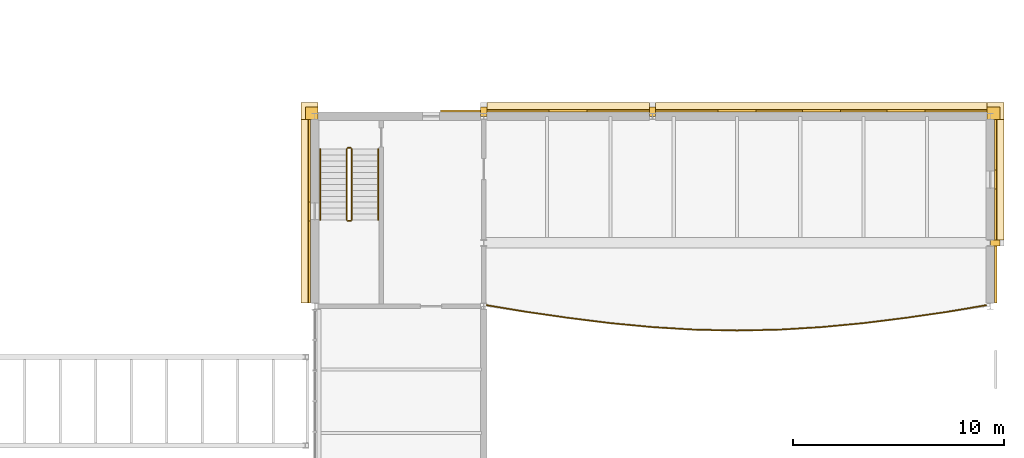
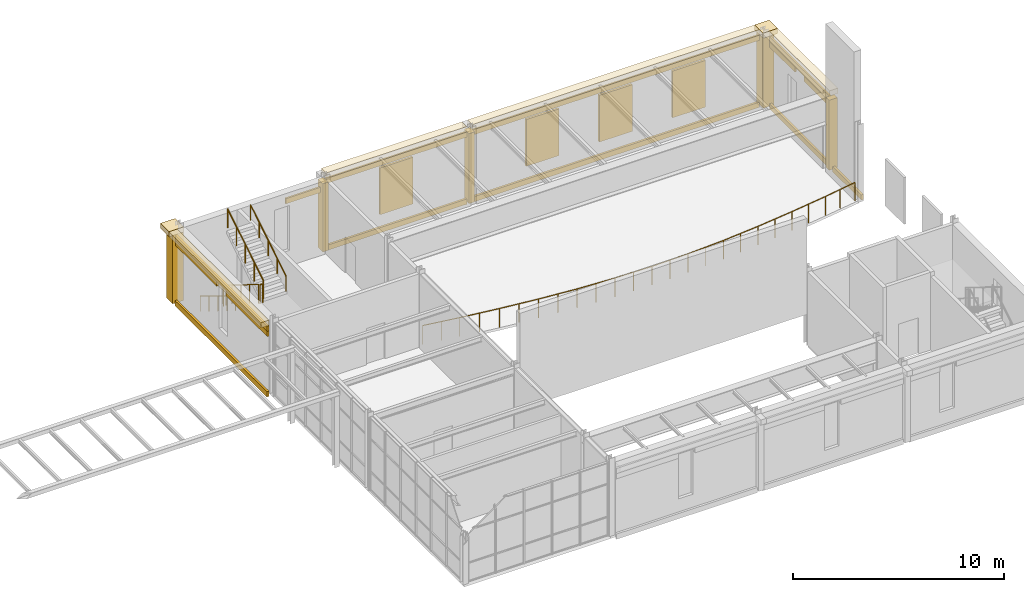
# One storey, part 150 of 153: 29 coverings, 7 railings.
"""IFC4 building model written with IfcOpenShell, lengths in metres."""

from ifc_helpers import new_model, si_unit, direction, frame, origin, origin_2d, place, context, subcontext, project, spatial, rectangle, circle, extrude, material, layer, layer_set, type_object, element, save


model = new_model("IFC4")

# Units and contexts
model_context = context("Model", 3, precision=1e-05, world=origin(), true_north=direction((0.0, 1.0)))
body_context = subcontext(model_context, "Body", "Model", "MODEL_VIEW")
ifc_project = project(units=[si_unit("LENGTHUNIT", "METRE"), si_unit("AREAUNIT", "SQUARE_METRE"), si_unit("VOLUMEUNIT", "CUBIC_METRE"), si_unit("PLANEANGLEUNIT", "RADIAN"), si_unit("MASSUNIT", "GRAM", prefix="KILO")], contexts=[model_context])

# Site, building, storey
site_placement = place(None, origin())
site = spatial("IfcSite", under=ifc_project, at=site_placement, CompositionType="ELEMENT")
building_placement = place(site_placement, origin())
building = spatial("IfcBuilding", under=site, at=building_placement, Name="Kallimachos Central Library", CompositionType="ELEMENT")
storey_placement = place(building_placement, frame((0.0, 0.0, 5.39990234375)))
storey = spatial("IfcBuildingStorey", under=building, at=storey_placement, Name="L01", CompositionType="ELEMENT", Elevation=5.39990234375)

# Railing
ifc_material_1 = material(Name="Wrought iron")
railing_type_1 = type_object("IfcRailingType", Name="Balcony guard 1100", PredefinedType="GUARDRAIL", material=ifc_material_1)
railing_1_placement = place(storey_placement, frame((146.14990234375, 105.050048828125, 0.0)))
element("IfcRailing", 1, at=railing_1_placement, inside=storey, type_object=railing_type_1, Name="Balcony front guard", PredefinedType="GUARDRAIL", context=body_context, shape_type="SweptSolid", body=[
    extrude(circle(Radius=0.02392578125, at=origin_2d()), frame((0.0, 0.0, 1.076171875), z_axis=(0.986203331004, -0.165538484697, 0.0), x_axis=(0.165538484697, 0.986203331004, 0.0)), (0.0, 0.0, 1.0), 1.8759765625),
    extrude(circle(Radius=0.02392578125, at=origin_2d()), frame((1.85009765625, -0.310546875, 1.076171875), z_axis=(0.989681961654, -0.143281592593, 0.0), x_axis=(0.143281592593, 0.989681961654, 0.0)), (0.0, 0.0, 1.0), 2.020751953125),
    extrude(circle(Radius=0.02392578125, at=origin_2d()), frame((3.85009765625, -0.60009765625, 1.076171875), z_axis=(0.99236707481, -0.123319052998, 0.0), x_axis=(0.123319052998, 0.99236707481, 0.0)), (0.0, 0.0, 1.0), 2.015380859375),
    extrude(circle(Radius=0.02392578125, at=origin_2d()), frame((5.85009765625, -0.8486328125, 1.076171875), z_axis=(0.995486183199, -0.094906580698, 0.0), x_axis=(0.094906580698, 0.995486183199, 0.0)), (0.0, 0.0, 1.0), 2.009033203125),
    extrude(circle(Radius=0.02392578125, at=origin_2d()), frame((7.85009765625, -1.039306640625, 1.076171875), z_axis=(0.998208631603, -0.059829155044, 0.0), x_axis=(0.059829155044, 0.998208631603, 0.0)), (0.0, 0.0, 1.0), 2.003662109375),
    extrude(circle(Radius=0.02392578125, at=origin_2d()), frame((9.85009765625, -1.1591796875, 1.076171875), z_axis=(0.9997922755, -0.020381507569, 0.0), x_axis=(0.020381507569, 0.9997922755, 0.0)), (0.0, 0.0, 1.0), 2.00048828125),
    extrude(circle(Radius=0.02392578125, at=origin_2d()), frame((11.85009765625, -1.199951171875, 1.076171875), z_axis=(0.9997922755, 0.020381507569, 0.0), x_axis=(-0.020381507569, 0.9997922755, 0.0)), (0.0, 0.0, 1.0), 2.00048828125),
    extrude(circle(Radius=0.02392578125, at=origin_2d()), frame((13.85009765625, -1.1591796875, 1.076171875), z_axis=(0.998208631603, 0.059829155044, 0.0), x_axis=(-0.059829155044, 0.998208631603, 0.0)), (0.0, 0.0, 1.0), 2.003662109375),
    extrude(circle(Radius=0.02392578125, at=origin_2d()), frame((15.85009765625, -1.039306640625, 1.076171875), z_axis=(0.995486183199, 0.094906580698, 0.0), x_axis=(-0.094906580698, 0.995486183199, 0.0)), (0.0, 0.0, 1.0), 2.009033203125),
    extrude(circle(Radius=0.02392578125, at=origin_2d()), frame((17.85009765625, -0.8486328125, 1.076171875), z_axis=(0.99236707481, 0.123319052998, 0.0), x_axis=(-0.123319052998, 0.99236707481, 0.0)), (0.0, 0.0, 1.0), 2.015380859375),
    extrude(circle(Radius=0.02392578125, at=origin_2d()), frame((19.85009765625, -0.60009765625, 1.076171875), z_axis=(0.989681961654, 0.143281592593, 0.0), x_axis=(-0.143281592593, 0.989681961654, 0.0)), (0.0, 0.0, 1.0), 2.020751953125),
    extrude(circle(Radius=0.02392578125, at=origin_2d()), frame((21.85009765625, -0.310546875, 1.076171875), z_axis=(0.985442361652, 0.170009858134, 0.0), x_axis=(-0.170009858134, 0.985442361652, 0.0)), (0.0, 0.0, 1.0), 1.82666015625),
    extrude(circle(Radius=0.02099609375, at=origin_2d()), origin(), (0.0, 0.0, 1.0), 1.052001953125),
    extrude(circle(Radius=0.02099609375, at=origin_2d()), frame((0.925048828125, -0.1552734375, 0.0)), (0.0, 0.0, 1.0), 1.052001953125),
    extrude(circle(Radius=0.02099609375, at=origin_2d()), frame((1.85009765625, -0.310546875, 0.0)), (0.0, 0.0, 1.0), 1.052001953125),
    extrude(circle(Radius=0.02099609375, at=origin_2d()), frame((2.85009765625, -0.455322265625, 0.0)), (0.0, 0.0, 1.0), 1.052001953125),
    extrude(circle(Radius=0.02099609375, at=origin_2d()), frame((3.85009765625, -0.60009765625, 0.0)), (0.0, 0.0, 1.0), 1.052001953125),
    extrude(circle(Radius=0.02099609375, at=origin_2d()), frame((4.85009765625, -0.724365234375, 0.0)), (0.0, 0.0, 1.0), 1.052001953125),
    extrude(circle(Radius=0.02099609375, at=origin_2d()), frame((5.85009765625, -0.8486328125, 0.0)), (0.0, 0.0, 1.0), 1.052001953125),
    extrude(circle(Radius=0.02099609375, at=origin_2d()), frame((6.85009765625, -0.94384765625, 0.0)), (0.0, 0.0, 1.0), 1.052001953125),
    extrude(circle(Radius=0.02099609375, at=origin_2d()), frame((7.85009765625, -1.039306640625, 0.0)), (0.0, 0.0, 1.0), 1.052001953125),
    extrude(circle(Radius=0.02099609375, at=origin_2d()), frame((8.85009765625, -1.09912109375, 0.0)), (0.0, 0.0, 1.0), 1.052001953125),
    extrude(circle(Radius=0.02099609375, at=origin_2d()), frame((9.85009765625, -1.1591796875, 0.0)), (0.0, 0.0, 1.0), 1.052001953125),
    extrude(circle(Radius=0.02099609375, at=origin_2d()), frame((10.85009765625, -1.1796875, 0.0)), (0.0, 0.0, 1.0), 1.052001953125),
    extrude(circle(Radius=0.02099609375, at=origin_2d()), frame((11.85009765625, -1.199951171875, 0.0)), (0.0, 0.0, 1.0), 1.052001953125),
    extrude(circle(Radius=0.02099609375, at=origin_2d()), frame((12.85009765625, -1.1796875, 0.0)), (0.0, 0.0, 1.0), 1.052001953125),
    extrude(circle(Radius=0.02099609375, at=origin_2d()), frame((13.85009765625, -1.1591796875, 0.0)), (0.0, 0.0, 1.0), 1.052001953125),
    extrude(circle(Radius=0.02099609375, at=origin_2d()), frame((14.85009765625, -1.09912109375, 0.0)), (0.0, 0.0, 1.0), 1.052001953125),
    extrude(circle(Radius=0.02099609375, at=origin_2d()), frame((15.85009765625, -1.039306640625, 0.0)), (0.0, 0.0, 1.0), 1.052001953125),
    extrude(circle(Radius=0.02099609375, at=origin_2d()), frame((16.85009765625, -0.94384765625, 0.0)), (0.0, 0.0, 1.0), 1.052001953125),
    extrude(circle(Radius=0.02099609375, at=origin_2d()), frame((17.85009765625, -0.8486328125, 0.0)), (0.0, 0.0, 1.0), 1.052001953125),
    extrude(circle(Radius=0.02099609375, at=origin_2d()), frame((18.85009765625, -0.724365234375, 0.0)), (0.0, 0.0, 1.0), 1.052001953125),
    extrude(circle(Radius=0.02099609375, at=origin_2d()), frame((19.85009765625, -0.60009765625, 0.0)), (0.0, 0.0, 1.0), 1.052001953125),
    extrude(circle(Radius=0.02099609375, at=origin_2d()), frame((20.85009765625, -0.455322265625, 0.0)), (0.0, 0.0, 1.0), 1.052001953125),
    extrude(circle(Radius=0.02099609375, at=origin_2d()), frame((21.85009765625, -0.310546875, 0.0)), (0.0, 0.0, 1.0), 1.052001953125),
    extrude(circle(Radius=0.02099609375, at=origin_2d()), frame((22.75, -0.1552734375, 0.0)), (0.0, 0.0, 1.0), 1.052001953125),
    extrude(circle(Radius=0.02099609375, at=origin_2d()), frame((23.650146484375, 0.0, 0.0)), (0.0, 0.0, 1.0), 1.052001953125),
])

# Coverings
ifc_material_2 = material(Name="Pentelic marble cladding", Category="masonry")
ifc_layer_1 = layer(ifc_material_2, 0.1201171875)
ifc_layer_set_1 = layer_set([ifc_layer_1], Name="Blind arcade relief panel")
covering_type_1 = type_object("IfcCoveringType", Name="Blind arcade relief panel", PredefinedType="CLADDING", material=ifc_layer_set_1)
for number, where, z_axis, x_axis, name in (
    (2, (150.0, 114.260009765625, 0.89990234375), (0.0, 0.0, 1.0), (1.0, 0.0, 0.0), "Blind arcade relief panel"),
    (3, (158.0, 114.260009765625, 0.89990234375), (0.0, 0.0, 1.0), (1.0, 0.0, 0.0), "Blind arcade relief panel"),
    (4, (162.0, 114.260009765625, 0.89990234375), (0.0, 0.0, 1.0), (1.0, 0.0, 0.0), "Blind arcade relief panel"),
    (5, (166.0, 114.260009765625, 0.89990234375), (0.0, 0.0, 1.0), (1.0, 0.0, 0.0), "Blind arcade relief panel"),
):
    element("IfcCovering", number, at=place(storey_placement, frame(where, z_axis=z_axis, x_axis=x_axis)), inside=storey, type_object=covering_type_1, Name=name, PredefinedType="CLADDING", context=body_context, shape_type="SweptSolid", body=[
        extrude(rectangle(XDim=1.800048828125, YDim=0.1201171875, at=origin_2d()), origin(), (0.0, 0.0, 1.0), 2.699951171875),
    ])
ifc_material_3 = material(Name="Glazed ceramic frieze, green")
ifc_layer_2 = layer(ifc_material_3, 0.10009765625)
ifc_layer_set_2 = layer_set([ifc_layer_2], Name="Glazed ceramic frieze, green")
covering_type_2 = type_object("IfcCoveringType", Name="Glazed ceramic frieze, green", PredefinedType="CLADDING", material=ifc_layer_set_2)
covering_1_placement = place(storey_placement, frame((137.75, 109.5, 3.6298828125), z_axis=(0.0, 0.0, 1.0), x_axis=(1.0, 0.0, 0.0)))
element("IfcCovering", 6, at=covering_1_placement, inside=storey, type_object=covering_type_2, Name="Glazed ceramic frieze, green -L01-001", PredefinedType="CLADDING", context=body_context, shape_type="SweptSolid", body=[
    extrude(rectangle(XDim=0.10009765625, YDim=8.699951171875, at=origin_2d()), origin(), (0.0, 0.0, 1.0), 0.300048828125),
])
covering_2_placement = place(storey_placement, frame((170.25, 111.0, 3.72998046875), z_axis=(0.0, 0.0, 1.0), x_axis=(1.0, 0.0, 0.0)))
element("IfcCovering", 7, at=covering_2_placement, inside=storey, type_object=covering_type_2, Name="Glazed ceramic frieze, green -L01-004", PredefinedType="CLADDING", context=body_context, shape_type="SweptSolid", body=[
    extrude(rectangle(XDim=0.10009765625, YDim=5.699951171875, at=origin_2d()), origin(), (0.0, 0.0, 1.0), 0.300048828125),
])
covering_3_placement = place(storey_placement, frame((150.0, 114.25, 3.72998046875), z_axis=(0.0, 0.0, 1.0), x_axis=(1.0, 0.0, 0.0)))
element("IfcCovering", 8, at=covering_3_placement, inside=storey, type_object=covering_type_2, Name="Glazed ceramic frieze, green -L01-009", PredefinedType="CLADDING", context=body_context, shape_type="SweptSolid", body=[
    extrude(rectangle(XDim=7.699951171875, YDim=0.10009765625, at=origin_2d()), origin(), (0.0, 0.0, 1.0), 0.300048828125),
])
covering_4_placement = place(storey_placement, frame((162.0, 114.25, 3.72998046875), z_axis=(0.0, 0.0, 1.0), x_axis=(1.0, 0.0, 0.0)))
element("IfcCovering", 9, at=covering_4_placement, inside=storey, type_object=covering_type_2, Name="Glazed ceramic frieze, green -L01-010", PredefinedType="CLADDING", context=body_context, shape_type="SweptSolid", body=[
    extrude(rectangle(XDim=15.699951171875, YDim=0.10009765625, at=origin_2d()), origin(), (0.0, 0.0, 1.0), 0.300048828125),
])
ifc_material_4 = material(Name="Glazed ceramic frieze, ochre")
ifc_layer_3 = layer(ifc_material_4, 0.10009765625)
ifc_layer_set_3 = layer_set([ifc_layer_3], Name="Glazed ceramic frieze, ochre")
covering_type_3 = type_object("IfcCoveringType", Name="Glazed ceramic frieze, ochre", PredefinedType="CLADDING", material=ifc_layer_set_3)
for number, where, z_axis, x_axis, name in (
    (10, (137.75, 107.10009765625, 3.330078125), (0.0, 0.0, 1.0), (1.0, 0.0, 0.0), "Glazed ceramic frieze, ochre -L01-001"),
    (11, (137.75, 111.89990234375, 3.330078125), (0.0, 0.0, 1.0), (1.0, 0.0, 0.0), "Glazed ceramic frieze, ochre -L01-001"),
):
    element("IfcCovering", number, at=place(storey_placement, frame(where, z_axis=z_axis, x_axis=x_axis)), inside=storey, type_object=covering_type_3, Name=name, PredefinedType="CLADDING", context=body_context, shape_type="SweptSolid", body=[
        extrude(rectangle(XDim=0.10009765625, YDim=3.89990234375, at=origin_2d()), origin(), (0.0, 0.0, 1.0), 0.300048828125),
    ])
for number, where, z_axis, x_axis, name in (
    (12, (170.25, 109.35009765625, 3.43017578125), (0.0, 0.0, 1.0), (1.0, 0.0, 0.0), "Glazed ceramic frieze, ochre -L01-004"),
    (13, (170.25, 112.64990234375, 3.43017578125), (0.0, 0.0, 1.0), (1.0, 0.0, 0.0), "Glazed ceramic frieze, ochre -L01-004"),
):
    element("IfcCovering", number, at=place(storey_placement, frame(where, z_axis=z_axis, x_axis=x_axis)), inside=storey, type_object=covering_type_3, Name=name, PredefinedType="CLADDING", context=body_context, shape_type="SweptSolid", body=[
        extrude(rectangle(XDim=0.10009765625, YDim=2.39990234375, at=origin_2d()), origin(), (0.0, 0.0, 1.0), 0.300048828125),
    ])
covering_5_placement = place(storey_placement, frame((144.89990234375, 114.25, 3.330078125), z_axis=(0.0, 0.0, 1.0), x_axis=(1.0, 0.0, 0.0)))
element("IfcCovering", 14, at=covering_5_placement, inside=storey, type_object=covering_type_3, Name="Glazed ceramic frieze, ochre -L01-008", PredefinedType="CLADDING", context=body_context, shape_type="SweptSolid", body=[
    extrude(rectangle(XDim=1.89990234375, YDim=0.10009765625, at=origin_2d()), origin(), (0.0, 0.0, 1.0), 0.300048828125),
])

# Railings
ifc_material_5 = material(Name="Steel S355J2", Category="steel")
railing_type_2 = type_object("IfcRailingType", Name="Stair guard 1100", PredefinedType="GUARDRAIL", material=ifc_material_5)
railing_2_placement = place(storey_placement, frame((139.5, 112.449951171875, 0.173095703125)))
element("IfcRailing", 15, at=railing_2_placement, inside=storey, type_object=railing_type_2, Name="L01 ST8 stair guard 1", PredefinedType="GUARDRAIL", context=body_context, shape_type="SweptSolid", body=[
    extrude(circle(Radius=0.02392578125, at=origin_2d()), frame((0.0, 0.0, 1.076171875), z_axis=(0.0, -0.850606129759, 0.525803396734), x_axis=(1.0, 0.0, 0.0)), (0.0, 0.0, 1.0), 3.949951171875),
    extrude(circle(Radius=0.02099609375, at=origin_2d()), origin(), (0.0, 0.0, 1.0), 1.052001953125),
    extrude(circle(Radius=0.02099609375, at=origin_2d()), frame((0.0, -0.83984375, 0.519287109375)), (0.0, 0.0, 1.0), 1.052001953125),
    extrude(circle(Radius=0.02099609375, at=origin_2d()), frame((0.0, -1.679931640625, 1.03857421875)), (0.0, 0.0, 1.0), 1.052001953125),
    extrude(circle(Radius=0.02099609375, at=origin_2d()), frame((0.0, -2.52001953125, 1.5576171875)), (0.0, 0.0, 1.0), 1.052001953125),
    extrude(circle(Radius=0.02099609375, at=origin_2d()), frame((0.0, -3.35986328125, 2.076904296875)), (0.0, 0.0, 1.0), 1.052001953125),
])
railing_3_placement = place(storey_placement, frame((139.550048828125, 109.0400390625, 2.25)))
element("IfcRailing", 16, at=railing_3_placement, inside=storey, type_object=railing_type_2, Name="L01 ST8 stair guard 2", PredefinedType="GUARDRAIL", context=body_context, shape_type="SweptSolid", body=[
    extrude(circle(Radius=0.02392578125, at=origin_2d()), frame((0.0, 0.0, 1.076171875), z_axis=(1.0, 0.0, 0.0), x_axis=(0.0, 1.0, 0.0)), (0.0, 0.0, 1.0), 0.14990234375),
    extrude(circle(Radius=0.02099609375, at=origin_2d()), origin(), (0.0, 0.0, 1.0), 1.052001953125),
    extrude(circle(Radius=0.02099609375, at=origin_2d()), frame((0.14990234375, 0.0, 0.0)), (0.0, 0.0, 1.0), 1.052001953125),
])
railing_4_placement = place(storey_placement, frame((139.75, 109.090087890625, 2.423095703125)))
element("IfcRailing", 17, at=railing_4_placement, inside=storey, type_object=railing_type_2, Name="L01 ST8 stair guard 3", PredefinedType="GUARDRAIL", context=body_context, shape_type="SweptSolid", body=[
    extrude(circle(Radius=0.02392578125, at=origin_2d()), frame((0.0, 0.0, 1.076171875), z_axis=(0.0, 0.850606129759, 0.525803396734), x_axis=(-1.0, 0.0, 0.0)), (0.0, 0.0, 1.0), 3.949951171875),
    extrude(circle(Radius=0.02099609375, at=origin_2d()), origin(), (0.0, 0.0, 1.0), 1.052001953125),
    extrude(circle(Radius=0.02099609375, at=origin_2d()), frame((0.0, 0.83984375, 0.519287109375)), (0.0, 0.0, 1.0), 1.052001953125),
    extrude(circle(Radius=0.02099609375, at=origin_2d()), frame((0.0, 1.679931640625, 1.03857421875)), (0.0, 0.0, 1.0), 1.052001953125),
    extrude(circle(Radius=0.02099609375, at=origin_2d()), frame((0.0, 2.52001953125, 1.5576171875)), (0.0, 0.0, 1.0), 1.052001953125),
    extrude(circle(Radius=0.02099609375, at=origin_2d()), frame((0.0, 3.35986328125, 2.076904296875)), (0.0, 0.0, 1.0), 1.052001953125),
])
railing_5_placement = place(storey_placement, frame((139.550048828125, 112.5, 0.0)))
element("IfcRailing", 18, at=railing_5_placement, inside=storey, type_object=railing_type_2, Name="L01 ST8 stair guard 4", PredefinedType="GUARDRAIL", context=body_context, shape_type="SweptSolid", body=[
    extrude(circle(Radius=0.02392578125, at=origin_2d()), frame((0.0, 0.0, 1.076171875), z_axis=(1.0, 0.0, 0.0), x_axis=(0.0, 1.0, 0.0)), (0.0, 0.0, 1.0), 0.14990234375),
    extrude(circle(Radius=0.02099609375, at=origin_2d()), origin(), (0.0, 0.0, 1.0), 1.052001953125),
    extrude(circle(Radius=0.02099609375, at=origin_2d()), frame((0.14990234375, 0.0, 0.0)), (0.0, 0.0, 1.0), 1.052001953125),
])
ifc_material_6 = material(Name="Steel S355J2", Category="steel")
railing_type_3 = type_object("IfcRailingType", Name="Stair handrail 900", PredefinedType="HANDRAIL", material=ifc_material_6)
railing_6_placement = place(storey_placement, frame((138.25, 112.449951171875, 0.173095703125)))
element("IfcRailing", 19, at=railing_6_placement, inside=storey, type_object=railing_type_3, Name="L01 ST8 stair handrail 1", PredefinedType="HANDRAIL", context=body_context, shape_type="SweptSolid", body=[
    extrude(circle(Radius=0.02392578125, at=origin_2d()), frame((0.0, 0.0, 0.8759765625), z_axis=(0.0, -0.850606129759, 0.525803396734), x_axis=(1.0, 0.0, 0.0)), (0.0, 0.0, 1.0), 3.949951171875),
    extrude(circle(Radius=0.02099609375, at=origin_2d()), origin(), (0.0, 0.0, 1.0), 0.851806640625),
    extrude(circle(Radius=0.02099609375, at=origin_2d()), frame((0.0, -0.83984375, 0.519287109375)), (0.0, 0.0, 1.0), 0.851806640625),
    extrude(circle(Radius=0.02099609375, at=origin_2d()), frame((0.0, -1.679931640625, 1.03857421875)), (0.0, 0.0, 1.0), 0.851806640625),
    extrude(circle(Radius=0.02099609375, at=origin_2d()), frame((0.0, -2.52001953125, 1.5576171875)), (0.0, 0.0, 1.0), 0.851806640625),
    extrude(circle(Radius=0.02099609375, at=origin_2d()), frame((0.0, -3.35986328125, 2.076904296875)), (0.0, 0.0, 1.0), 0.851806640625),
])
railing_7_placement = place(storey_placement, frame((141.0, 109.090087890625, 2.423095703125)))
element("IfcRailing", 20, at=railing_7_placement, inside=storey, type_object=railing_type_3, Name="L01 ST8 stair handrail 2", PredefinedType="HANDRAIL", context=body_context, shape_type="SweptSolid", body=[
    extrude(circle(Radius=0.02392578125, at=origin_2d()), frame((0.0, 0.0, 0.8759765625), z_axis=(0.0, 0.850606129759, 0.525803396734), x_axis=(-1.0, 0.0, 0.0)), (0.0, 0.0, 1.0), 3.949951171875),
    extrude(circle(Radius=0.02099609375, at=origin_2d()), origin(), (0.0, 0.0, 1.0), 0.851806640625),
    extrude(circle(Radius=0.02099609375, at=origin_2d()), frame((0.0, 0.83984375, 0.519287109375)), (0.0, 0.0, 1.0), 0.851806640625),
    extrude(circle(Radius=0.02099609375, at=origin_2d()), frame((0.0, 1.679931640625, 1.03857421875)), (0.0, 0.0, 1.0), 0.851806640625),
    extrude(circle(Radius=0.02099609375, at=origin_2d()), frame((0.0, 2.52001953125, 1.5576171875)), (0.0, 0.0, 1.0), 0.851806640625),
    extrude(circle(Radius=0.02099609375, at=origin_2d()), frame((0.0, 3.35986328125, 2.076904296875)), (0.0, 0.0, 1.0), 0.851806640625),
])

# Coverings
ifc_material_7 = material(Name="Pentelic marble attic moulding", Category="masonry")
ifc_layer_4 = layer(ifc_material_7, 0.1201171875)
ifc_layer_set_4 = layer_set([ifc_layer_4], Name="Stone attic moulding 300")
covering_type_4 = type_object("IfcCoveringType", Name="Stone attic moulding 300", PredefinedType="MOLDING", material=ifc_layer_set_4)
covering_6_placement = place(storey_placement, frame((137.739990234375, 109.5, -0.14990234375), z_axis=(0.0, 0.0, 1.0), x_axis=(1.0, 0.0, 0.0)))
element("IfcCovering", 21, at=covering_6_placement, inside=storey, type_object=covering_type_4, Name="Stone attic moulding 300 -L01-001", PredefinedType="MOLDING", context=body_context, shape_type="SweptSolid", body=[
    extrude(rectangle(XDim=0.1201171875, YDim=8.699951171875, at=origin_2d()), origin(), (0.0, 0.0, 1.0), 0.300048828125),
])
covering_7_placement = place(storey_placement, frame((170.260009765625, 106.5, -0.14990234375), z_axis=(0.0, 0.0, 1.0), x_axis=(1.0, 0.0, 0.0)))
element("IfcCovering", 22, at=covering_7_placement, inside=storey, type_object=covering_type_4, Name="Stone attic moulding 300 -L01-003", PredefinedType="MOLDING", context=body_context, shape_type="SweptSolid", body=[
    extrude(rectangle(XDim=0.1201171875, YDim=2.699951171875, at=origin_2d()), origin(), (0.0, 0.0, 1.0), 0.300048828125),
])
covering_8_placement = place(storey_placement, frame((170.260009765625, 111.0, -0.14990234375), z_axis=(0.0, 0.0, 1.0), x_axis=(1.0, 0.0, 0.0)))
element("IfcCovering", 23, at=covering_8_placement, inside=storey, type_object=covering_type_4, Name="Stone attic moulding 300 -L01-004", PredefinedType="MOLDING", context=body_context, shape_type="SweptSolid", body=[
    extrude(rectangle(XDim=0.1201171875, YDim=5.699951171875, at=origin_2d()), origin(), (0.0, 0.0, 1.0), 0.300048828125),
])
covering_9_placement = place(storey_placement, frame((150.0, 114.260009765625, -0.14990234375), z_axis=(0.0, 0.0, 1.0), x_axis=(1.0, 0.0, 0.0)))
element("IfcCovering", 24, at=covering_9_placement, inside=storey, type_object=covering_type_4, Name="Stone attic moulding 300 -L01-009", PredefinedType="MOLDING", context=body_context, shape_type="SweptSolid", body=[
    extrude(rectangle(XDim=7.699951171875, YDim=0.1201171875, at=origin_2d()), origin(), (0.0, 0.0, 1.0), 0.300048828125),
])
covering_10_placement = place(storey_placement, frame((162.0, 114.260009765625, -0.14990234375), z_axis=(0.0, 0.0, 1.0), x_axis=(1.0, 0.0, 0.0)))
element("IfcCovering", 25, at=covering_10_placement, inside=storey, type_object=covering_type_4, Name="Stone attic moulding 300 -L01-010", PredefinedType="MOLDING", context=body_context, shape_type="SweptSolid", body=[
    extrude(rectangle(XDim=15.699951171875, YDim=0.1201171875, at=origin_2d()), origin(), (0.0, 0.0, 1.0), 0.300048828125),
])
ifc_material_8 = material(Name="Pentelic marble cornice", Category="masonry")
ifc_layer_5 = layer(ifc_material_8, 0.449951171875)
ifc_layer_set_5 = layer_set([ifc_layer_5], Name="Stone cornice 450")
covering_type_5 = type_object("IfcCoveringType", Name="Stone cornice 450", PredefinedType="MOLDING", material=ifc_layer_set_5)
covering_11_placement = place(storey_placement, frame((137.574951171875, 109.5, 3.9501953125), z_axis=(0.0, 0.0, 1.0), x_axis=(1.0, 0.0, 0.0)))
element("IfcCovering", 26, at=covering_11_placement, inside=storey, type_object=covering_type_5, Name="Stone cornice 450 -L01-001", PredefinedType="MOLDING", context=body_context, shape_type="SweptSolid", body=[
    extrude(rectangle(XDim=0.449951171875, YDim=8.699951171875, at=origin_2d()), origin(), (0.0, 0.0, 1.0), 0.300048828125),
])
covering_12_placement = place(storey_placement, frame((170.425048828125, 111.0, 4.05029296875), z_axis=(0.0, 0.0, 1.0), x_axis=(1.0, 0.0, 0.0)))
element("IfcCovering", 27, at=covering_12_placement, inside=storey, type_object=covering_type_5, Name="Stone cornice 450 -L01-004", PredefinedType="MOLDING", context=body_context, shape_type="SweptSolid", body=[
    extrude(rectangle(XDim=0.449951171875, YDim=5.699951171875, at=origin_2d()), origin(), (0.0, 0.0, 1.0), 0.300048828125),
])
covering_13_placement = place(storey_placement, frame((150.0, 114.425048828125, 4.05029296875), z_axis=(0.0, 0.0, 1.0), x_axis=(1.0, 0.0, 0.0)))
element("IfcCovering", 28, at=covering_13_placement, inside=storey, type_object=covering_type_5, Name="Stone cornice 450 -L01-009", PredefinedType="MOLDING", context=body_context, shape_type="SweptSolid", body=[
    extrude(rectangle(XDim=7.699951171875, YDim=0.449951171875, at=origin_2d()), origin(), (0.0, 0.0, 1.0), 0.300048828125),
])
covering_14_placement = place(storey_placement, frame((162.0, 114.425048828125, 4.05029296875), z_axis=(0.0, 0.0, 1.0), x_axis=(1.0, 0.0, 0.0)))
element("IfcCovering", 29, at=covering_14_placement, inside=storey, type_object=covering_type_5, Name="Stone cornice 450 -L01-010", PredefinedType="MOLDING", context=body_context, shape_type="SweptSolid", body=[
    extrude(rectangle(XDim=15.699951171875, YDim=0.449951171875, at=origin_2d()), origin(), (0.0, 0.0, 1.0), 0.300048828125),
])
for number, where, z_axis, x_axis, name in (
    (30, (137.75, 114.25, 3.9501953125), (0.0, 0.0, 1.0), (1.0, 0.0, 0.0), "Stone cornice 450 corner"),
    (31, (170.25, 114.25, 4.05029296875), (0.0, 0.0, 1.0), (1.0, 0.0, 0.0), "Stone cornice 450 corner"),
):
    element("IfcCovering", number, at=place(storey_placement, frame(where, z_axis=z_axis, x_axis=x_axis)), inside=storey, type_object=covering_type_5, Name=name, PredefinedType="MOLDING", context=body_context, shape_type="SweptSolid", body=[
        extrude(rectangle(XDim=0.800048828125, YDim=0.800048828125, at=origin_2d()), origin(), (0.0, 0.0, 1.0), 0.300048828125),
    ])
ifc_material_9 = material(Name="Pentelic marble pilaster", Category="masonry")
ifc_layer_6 = layer(ifc_material_9, 0.25)
ifc_layer_set_6 = layer_set([ifc_layer_6], Name="Stone pilaster 250")
covering_type_6 = type_object("IfcCoveringType", Name="Stone pilaster 250", PredefinedType="CLADDING", material=ifc_layer_set_6)
covering_15_placement = place(storey_placement, frame((170.22509765625, 108.0, 0.0), z_axis=(0.0, 0.0, 1.0), x_axis=(1.0, 0.0, 0.0)))
element("IfcCovering", 32, at=covering_15_placement, inside=storey, type_object=covering_type_6, Name="Stone pilaster 250 -L01-003", PredefinedType="CLADDING", context=body_context, shape_type="SweptSolid", body=[
    extrude(rectangle(XDim=0.449951171875, YDim=0.300048828125, at=origin_2d()), origin(), (0.0, 0.0, 1.0), 4.050048828125),
])
covering_16_placement = place(storey_placement, frame((146.0, 114.22509765625, 0.0), z_axis=(0.0, 0.0, 1.0), x_axis=(1.0, 0.0, 0.0)))
element("IfcCovering", 33, at=covering_16_placement, inside=storey, type_object=covering_type_6, Name="Stone pilaster 250 -L01-008", PredefinedType="CLADDING", context=body_context, shape_type="SweptSolid", body=[
    extrude(rectangle(XDim=0.300048828125, YDim=0.449951171875, at=origin_2d()), origin(), (0.0, 0.0, 1.0), 3.949951171875),
])
covering_17_placement = place(storey_placement, frame((154.0, 114.22509765625, 0.0), z_axis=(0.0, 0.0, 1.0), x_axis=(1.0, 0.0, 0.0)))
element("IfcCovering", 34, at=covering_17_placement, inside=storey, type_object=covering_type_6, Name="Stone pilaster 250 -L01-009", PredefinedType="CLADDING", context=body_context, shape_type="SweptSolid", body=[
    extrude(rectangle(XDim=0.300048828125, YDim=0.449951171875, at=origin_2d()), origin(), (0.0, 0.0, 1.0), 4.050048828125),
])
covering_18_placement = place(storey_placement, frame((137.85009765625, 114.14990234375, 0.0), z_axis=(0.0, 0.0, 1.0), x_axis=(1.0, 0.0, 0.0)))
element("IfcCovering", 35, at=covering_18_placement, inside=storey, type_object=covering_type_6, Name="Stone pilaster 250 corner", PredefinedType="CLADDING", context=body_context, shape_type="SweptSolid", body=[
    extrude(rectangle(XDim=0.60009765625, YDim=0.60009765625, at=origin_2d()), origin(), (0.0, 0.0, 1.0), 3.949951171875),
])
covering_19_placement = place(storey_placement, frame((170.14990234375, 114.14990234375, 0.0), z_axis=(0.0, 0.0, 1.0), x_axis=(1.0, 0.0, 0.0)))
element("IfcCovering", 36, at=covering_19_placement, inside=storey, type_object=covering_type_6, Name="Stone pilaster 250 corner", PredefinedType="CLADDING", context=body_context, shape_type="SweptSolid", body=[
    extrude(rectangle(XDim=0.60009765625, YDim=0.60009765625, at=origin_2d()), origin(), (0.0, 0.0, 1.0), 4.050048828125),
])

save(model, "model.ifc")
